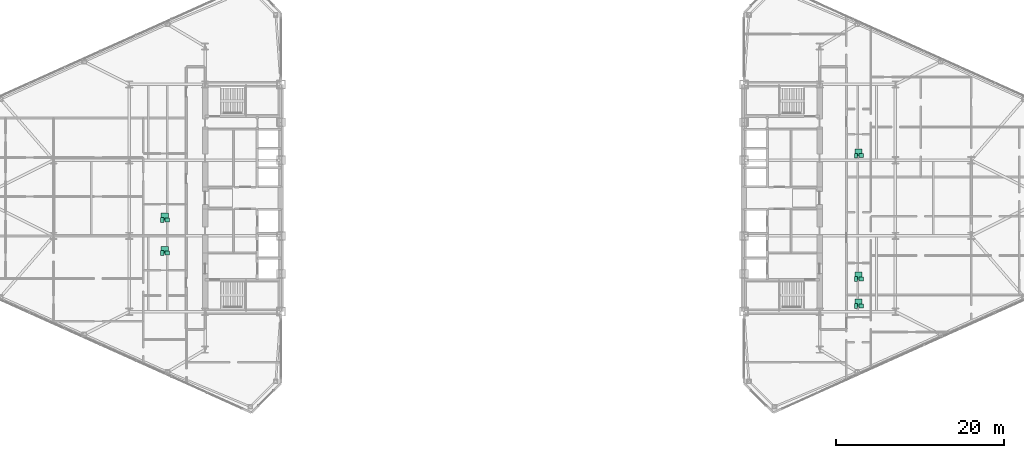
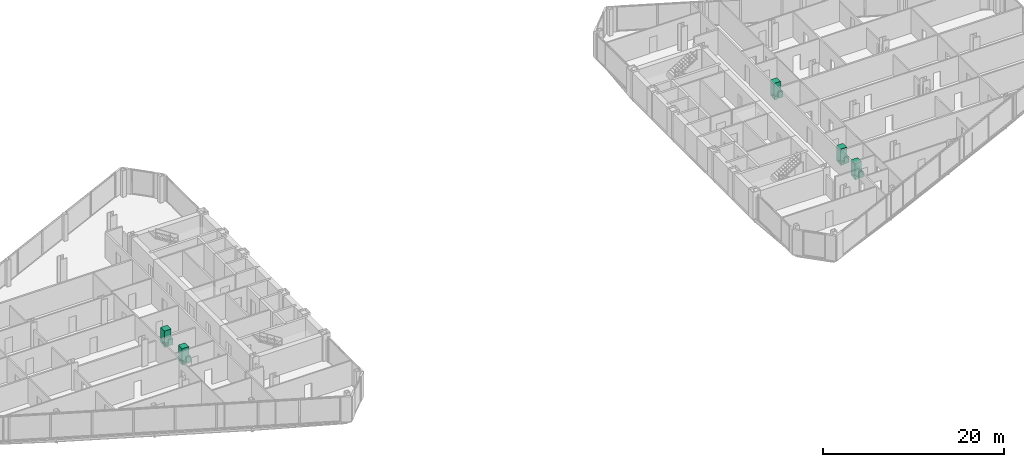
# One storey, part 27 of 27: 15 sanitary terminals.
"""IFC4 building model written with IfcOpenShell, lengths in metres."""

from ifc_helpers import new_model, si_unit, direction, frame, origin, origin_2d, place, context, subcontext, project, spatial, rectangle, extrude, source, transform, mapped, material, type_object, type_shapes, element, save


model = new_model("IFC4")

# Units and contexts
model_context = context("Model", 3, precision=1e-05, world=origin(), true_north=direction((0.0, 1.0)))
body_context = subcontext(model_context, "Body", "Model", "MODEL_VIEW")
ifc_project = project(units=[si_unit("LENGTHUNIT", "METRE"), si_unit("AREAUNIT", "SQUARE_METRE"), si_unit("VOLUMEUNIT", "CUBIC_METRE"), si_unit("PLANEANGLEUNIT", "RADIAN"), si_unit("MASSUNIT", "GRAM", prefix="KILO")], contexts=[model_context])

# Site, building, storey
site_placement = place(None, origin())
site = spatial("IfcSite", under=ifc_project, at=site_placement, CompositionType="ELEMENT")
building_placement = place(site_placement, origin())
building = spatial("IfcBuilding", under=site, at=building_placement, Name="Seokmaru Belvedere", CompositionType="ELEMENT")
storey_placement = place(building_placement, frame((0.0, 0.0, 65.699951171875)))
storey = spatial("IfcBuildingStorey", under=building, at=storey_placement, Name="L17", CompositionType="ELEMENT", Elevation=65.699951171875)

# Sanitary terminals
ifc_material_1 = material(Name="Vitreous China Sanitaryware")
sanitary_terminal_type_1 = type_object("IfcSanitaryTerminalType", Name="Wall-Hung Vitreous China WC Pan", PredefinedType="TOILETPAN", material=ifc_material_1)
shared_shape_1 = source(origin(), body_context, "Body", "SweptSolid", [
    extrude(rectangle(XDim=0.3798828125, YDim=0.56005859375, at=origin_2d()), origin(), (0.0, 0.0, 1.0), 0.419921875),
])
type_shapes(sanitary_terminal_type_1, [shared_shape_1])
for number, where, z_axis, x_axis, name in (
    (1, (-41.60009765625, -6.5390625, 0.0), (0.0, 0.0, 1.0), (1.0, 0.0, 0.0), "L17 Vitreous China WC 0099"),
    (2, (-41.60009765625, -2.611083984375, 0.0), (0.0, 0.0, 1.0), (1.0, 0.0, 0.0), "L17 Vitreous China WC 0100"),
    (3, (40.824951171875, -12.822021484375, 0.0), (0.0, 0.0, 1.0), (1.0, 0.0, 0.0), "L17 Vitreous China WC 0101"),
    (4, (40.824951171875, -9.611083984375, 0.0), (0.0, 0.0, 1.0), (1.0, 0.0, 0.0), "L17 Vitreous China WC 0102"),
    (5, (40.824951171875, 5.0390625, 0.0), (0.0, 0.0, 1.0), (1.0, 0.0, 0.0), "L17 Vitreous China WC 0103"),
):
    element("IfcSanitaryTerminal", number, at=place(storey_placement, frame(where, z_axis=z_axis, x_axis=x_axis)), inside=storey, type_object=sanitary_terminal_type_1, Name=name, PredefinedType="TOILETPAN", context=body_context, shape_type="MappedRepresentation", body=[
        mapped(shared_shape_1, transform((0.0, 0.0, 0.0), scale=1.0)),
    ])
sanitary_terminal_type_2 = type_object("IfcSanitaryTerminalType", Name="Countertop Ceramic Washhand Basin", PredefinedType="WASHHANDBASIN", material=ifc_material_1)
shared_shape_2 = source(origin(), body_context, "Body", "SweptSolid", [
    extrude(rectangle(XDim=0.550048828125, YDim=0.449951171875, at=origin_2d()), origin(), (0.0, 0.0, 1.0), 0.820068359375),
])
type_shapes(sanitary_terminal_type_2, [shared_shape_2])
for number, where, z_axis, x_axis, name in (
    (6, (-41.0, -6.5390625, 0.0), (0.0, 0.0, 1.0), (1.0, 0.0, 0.0), "L17 Ceramic Washhand Basin 0099"),
    (7, (-41.0, -2.611083984375, 0.0), (0.0, 0.0, 1.0), (1.0, 0.0, 0.0), "L17 Ceramic Washhand Basin 0100"),
    (8, (41.425048828125, -12.822021484375, 0.0), (0.0, 0.0, 1.0), (1.0, 0.0, 0.0), "L17 Ceramic Washhand Basin 0101"),
    (9, (41.425048828125, -9.611083984375, 0.0), (0.0, 0.0, 1.0), (1.0, 0.0, 0.0), "L17 Ceramic Washhand Basin 0102"),
    (10, (41.425048828125, 5.0390625, 0.0), (0.0, 0.0, 1.0), (1.0, 0.0, 0.0), "L17 Ceramic Washhand Basin 0103"),
):
    element("IfcSanitaryTerminal", number, at=place(storey_placement, frame(where, z_axis=z_axis, x_axis=x_axis)), inside=storey, type_object=sanitary_terminal_type_2, Name=name, PredefinedType="WASHHANDBASIN", context=body_context, shape_type="MappedRepresentation", body=[
        mapped(shared_shape_2, transform((0.0, 0.0, 0.0), scale=1.0)),
    ])
ifc_material_2 = material(Name="Stainless Steel 316", Category="steel")
sanitary_terminal_type_3 = type_object("IfcSanitaryTerminalType", Name="Walk-In Thermostatic Rain Shower Enclosure", PredefinedType="SHOWER", material=ifc_material_2)
shared_shape_3 = source(origin(), body_context, "Body", "SweptSolid", [
    extrude(rectangle(XDim=0.85009765625, YDim=0.85009765625, at=origin_2d()), origin(), (0.0, 0.0, 1.0), 2.050048828125),
])
type_shapes(sanitary_terminal_type_3, [shared_shape_3])
for number, where, z_axis, x_axis, name in (
    (11, (-41.300048828125, -6.158935546875, 0.0), (0.0, 0.0, 1.0), (1.0, 0.0, 0.0), "L17 Walk-In Shower 0099"),
    (12, (-41.300048828125, -2.23095703125, 0.0), (0.0, 0.0, 1.0), (1.0, 0.0, 0.0), "L17 Walk-In Shower 0100"),
    (13, (41.125, -12.44189453125, 0.0), (0.0, 0.0, 1.0), (1.0, 0.0, 0.0), "L17 Walk-In Shower 0101"),
    (14, (41.125, -9.23095703125, 0.0), (0.0, 0.0, 1.0), (1.0, 0.0, 0.0), "L17 Walk-In Shower 0102"),
    (15, (41.125, 5.4189453125, 0.0), (0.0, 0.0, 1.0), (1.0, 0.0, 0.0), "L17 Walk-In Shower 0103"),
):
    element("IfcSanitaryTerminal", number, at=place(storey_placement, frame(where, z_axis=z_axis, x_axis=x_axis)), inside=storey, type_object=sanitary_terminal_type_3, Name=name, PredefinedType="SHOWER", context=body_context, shape_type="MappedRepresentation", body=[
        mapped(shared_shape_3, transform((0.0, 0.0, 0.0), scale=1.0)),
    ])

save(model, "model.ifc")
